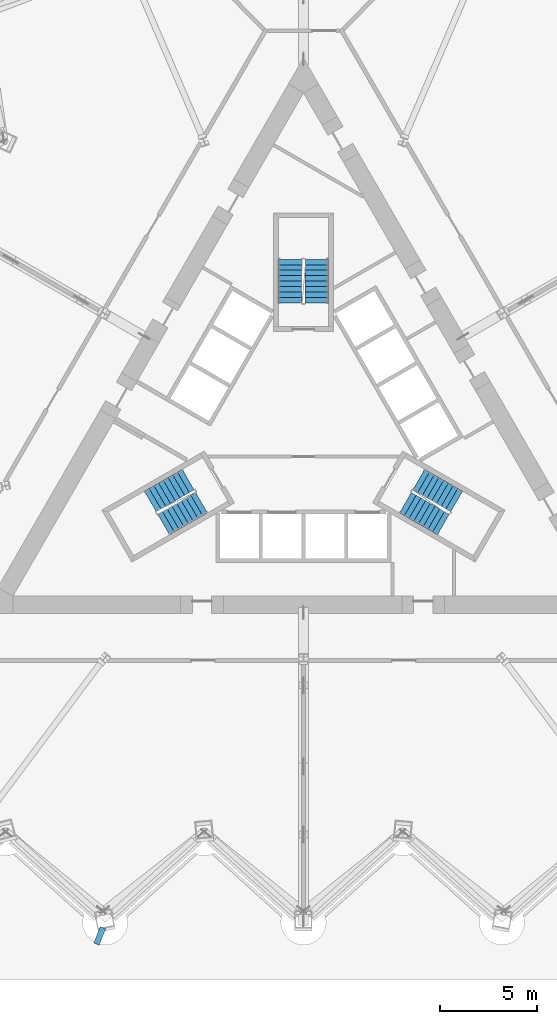
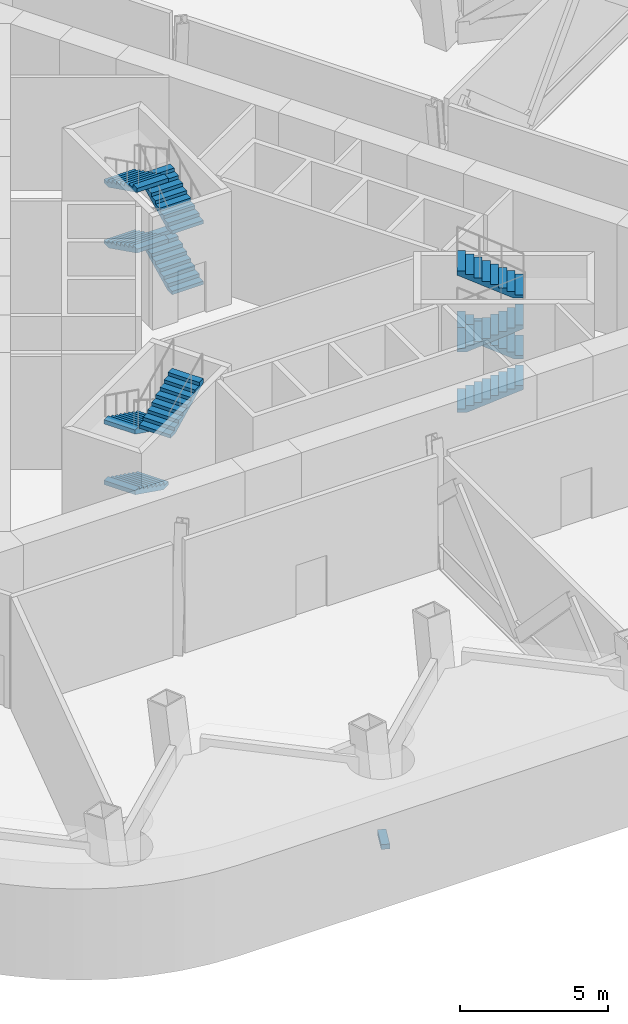
# One storey, part 7 of 13: 11 stair flights, 1 discrete accessory, 3 elements without a shape of their own.
"""IFC4 building model written with IfcOpenShell, lengths in metres."""

from ifc_helpers import new_model, si_unit, direction, frame, origin, origin_2d, place, context, subcontext, project, spatial, polyline, rectangle, outline, extrude, material, type_object, element, aggregate, save


model = new_model("IFC4")

# Units and contexts
model_context = context("Model", 3, precision=1e-05, world=origin(), true_north=direction((0.0, 1.0)))
body_context = subcontext(model_context, "Body", "Model", "MODEL_VIEW")
ifc_project = project(units=[si_unit("LENGTHUNIT", "METRE"), si_unit("AREAUNIT", "SQUARE_METRE"), si_unit("VOLUMEUNIT", "CUBIC_METRE"), si_unit("PLANEANGLEUNIT", "RADIAN"), si_unit("MASSUNIT", "GRAM", prefix="KILO")], contexts=[model_context])

# Site, building, storey
site_placement = place(None, origin())
site = spatial("IfcSite", under=ifc_project, at=site_placement, CompositionType="ELEMENT")
building_placement = place(site_placement, origin())
building = spatial("IfcBuilding", under=site, at=building_placement, Name="Cormorant Prow Tower", CompositionType="ELEMENT")
storey_placement = place(building_placement, frame((0.0, 0.0, 164.199951171875)))
storey = spatial("IfcBuildingStorey", under=building, at=storey_placement, Name="L34", CompositionType="ELEMENT", Elevation=164.199951171875)

# Stair, stair flights
ifc_material_1 = material(Name="Exit stair 36 risers")
stair_type = type_object("IfcStairType", Name="Exit stair 36 risers", PredefinedType="HALF_TURN_STAIR", material=ifc_material_1)
stair_1_placement = place(storey_placement, origin())
stair_1 = element("IfcStair", 1, at=stair_1_placement, inside=storey, type_object=stair_type, Name="L34 Exit stair ST1", PredefinedType="HALF_TURN_STAIR")
ifc_material_2 = material(Name="Concrete 5000 psi", Category="concrete")
stair_flight_type = type_object("IfcStairFlightType", Name="Stair flight 1219", PredefinedType="STRAIGHT", material=ifc_material_2)
stair_flight_1_placement = place(storey_placement, frame((-5.93310546875, -2.635009765625, 0.0), z_axis=(0.0, 0.0, 1.0), x_axis=(-0.866025403784, -0.5, 0.0)))
stair_flight_1 = element("IfcStairFlight", 2, at=stair_flight_1_placement, type_object=stair_flight_type, Name="ST1 flight 1", NumberOfRisers=9, NumberOfTreads=8, PredefinedType="STRAIGHT", RiserHeight=0.138888889, TreadLength=0.28, context=body_context, shape_type="SweptSolid", body=[
    extrude(outline(polyline([(0.0, 0.0), (0.0, 0.138916015625), (0.280029296875, 0.138916015625), (0.280029296875, 0.27783203125), (0.56005859375, 0.27783203125), (0.56005859375, 0.416748046875), (0.840087890625, 0.416748046875), (0.840087890625, 0.5556640625), (1.1201171875, 0.5556640625), (1.1201171875, 0.6943359375), (1.39990234375, 0.6943359375), (1.39990234375, 0.833251953125), (1.679931640625, 0.833251953125), (1.679931640625, 0.97216796875), (1.9599609375, 0.97216796875), (1.9599609375, 1.111083984375), (2.239990234375, 1.111083984375), (2.239990234375, 1.25), (2.239990234375, 0.94384765625), (0.33740234375, 0.0), (0.0, 0.0)])), frame((0.0, 0.609375, 0.0), z_axis=(0.0, -1.0, 0.0), x_axis=(1.0, 0.0, 0.0)), (0.0, 0.0, 1.0), 1.218994140625),
])
stair_flight_2_placement = place(storey_placement, frame((-5.93310546875, -2.635009765625, 2.5), z_axis=(0.0, 0.0, 1.0), x_axis=(-0.866025403784, -0.5, 0.0)))
stair_flight_2 = element("IfcStairFlight", 3, at=stair_flight_2_placement, type_object=stair_flight_type, Name="ST1 flight 3", NumberOfRisers=9, NumberOfTreads=8, PredefinedType="STRAIGHT", RiserHeight=0.138888889, TreadLength=0.28, context=body_context, shape_type="SweptSolid", body=[
    extrude(outline(polyline([(0.0, 0.0), (0.0, 0.138916015625), (0.280029296875, 0.138916015625), (0.280029296875, 0.27783203125), (0.56005859375, 0.27783203125), (0.56005859375, 0.416748046875), (0.840087890625, 0.416748046875), (0.840087890625, 0.5556640625), (1.1201171875, 0.5556640625), (1.1201171875, 0.6943359375), (1.39990234375, 0.6943359375), (1.39990234375, 0.833251953125), (1.679931640625, 0.833251953125), (1.679931640625, 0.97216796875), (1.9599609375, 0.97216796875), (1.9599609375, 1.111083984375), (2.239990234375, 1.111083984375), (2.239990234375, 1.25), (2.239990234375, 0.94384765625), (0.33740234375, 0.0), (0.0, 0.0)])), frame((0.0, 0.609375, 0.0), z_axis=(0.0, -1.0, 0.0), x_axis=(1.0, 0.0, 0.0)), (0.0, 0.0, 1.0), 1.218994140625),
])
stair_flight_3_placement = place(storey_placement, frame((-7.1884765625, -4.940673828125, 3.75), z_axis=(0.0, 0.0, 1.0), x_axis=(0.866025403784, 0.5, 0.0)))
stair_flight_3 = element("IfcStairFlight", 4, at=stair_flight_3_placement, type_object=stair_flight_type, Name="ST1 flight 4", NumberOfRisers=9, NumberOfTreads=8, PredefinedType="STRAIGHT", RiserHeight=0.138888889, TreadLength=0.28, context=body_context, shape_type="SweptSolid", body=[
    extrude(outline(polyline([(0.0, 0.0), (0.0, 0.138916015625), (0.280029296875, 0.138916015625), (0.280029296875, 0.27783203125), (0.56005859375, 0.27783203125), (0.56005859375, 0.416748046875), (0.840087890625, 0.416748046875), (0.840087890625, 0.5556640625), (1.1201171875, 0.5556640625), (1.1201171875, 0.6943359375), (1.39990234375, 0.6943359375), (1.39990234375, 0.833251953125), (1.679931640625, 0.833251953125), (1.679931640625, 0.97216796875), (1.9599609375, 0.97216796875), (1.9599609375, 1.111083984375), (2.239990234375, 1.111083984375), (2.239990234375, 1.25), (2.239990234375, 0.94384765625), (0.33740234375, 0.0), (0.0, 0.0)])), frame((0.0, 0.609375, 0.0), z_axis=(0.0, -1.0, 0.0), x_axis=(1.0, 0.0, 0.0)), (0.0, 0.0, 1.0), 1.218994140625),
])
aggregate(stair_1, [stair_flight_1, stair_flight_2, stair_flight_3])

stair_2_placement = place(storey_placement, origin())
stair_2 = element("IfcStair", 5, at=stair_2_placement, inside=storey, type_object=stair_type, Name="L34 Exit stair ST2", PredefinedType="HALF_TURN_STAIR")
stair_flight_4_placement = place(storey_placement, frame((5.24853515625, -3.82080078125, 0.0), z_axis=(0.0, 0.0, 1.0), x_axis=(0.866025403784, -0.5, 0.0)))
stair_flight_4 = element("IfcStairFlight", 6, at=stair_flight_4_placement, type_object=stair_flight_type, Name="ST2 flight 1", NumberOfRisers=9, NumberOfTreads=8, PredefinedType="STRAIGHT", RiserHeight=0.138888889, TreadLength=0.28, context=body_context, shape_type="SweptSolid", body=[
    extrude(outline(polyline([(0.0, 0.0), (0.0, 0.138916015625), (0.280029296875, 0.138916015625), (0.280029296875, 0.27783203125), (0.56005859375, 0.27783203125), (0.56005859375, 0.416748046875), (0.840087890625, 0.416748046875), (0.840087890625, 0.5556640625), (1.1201171875, 0.5556640625), (1.1201171875, 0.6943359375), (1.39990234375, 0.6943359375), (1.39990234375, 0.833251953125), (1.679931640625, 0.833251953125), (1.679931640625, 0.97216796875), (1.9599609375, 0.97216796875), (1.9599609375, 1.111083984375), (2.239990234375, 1.111083984375), (2.239990234375, 1.25), (2.239990234375, 0.94384765625), (0.33740234375, 0.0), (0.0, 0.0)])), frame((0.0, 0.609375, 0.0), z_axis=(0.0, -1.0, 0.0), x_axis=(1.0, 0.0, 0.0)), (0.0, 0.0, 1.0), 1.218994140625),
])
stair_flight_5_placement = place(storey_placement, frame((7.873046875, -3.755126953125, 1.25), z_axis=(0.0, 0.0, 1.0), x_axis=(-0.866025403784, 0.5, 0.0)))
stair_flight_5 = element("IfcStairFlight", 7, at=stair_flight_5_placement, type_object=stair_flight_type, Name="ST2 flight 2", NumberOfRisers=9, NumberOfTreads=8, PredefinedType="STRAIGHT", RiserHeight=0.138888889, TreadLength=0.28, context=body_context, shape_type="SweptSolid", body=[
    extrude(outline(polyline([(0.0, 0.0), (0.0, 0.138916015625), (0.280029296875, 0.138916015625), (0.280029296875, 0.27783203125), (0.56005859375, 0.27783203125), (0.56005859375, 0.416748046875), (0.840087890625, 0.416748046875), (0.840087890625, 0.5556640625), (1.1201171875, 0.5556640625), (1.1201171875, 0.6943359375), (1.39990234375, 0.6943359375), (1.39990234375, 0.833251953125), (1.679931640625, 0.833251953125), (1.679931640625, 0.97216796875), (1.9599609375, 0.97216796875), (1.9599609375, 1.111083984375), (2.239990234375, 1.111083984375), (2.239990234375, 1.25), (2.239990234375, 0.94384765625), (0.33740234375, 0.0), (0.0, 0.0)])), frame((0.0, 0.609375, 0.0), z_axis=(0.0, -1.0, 0.0), x_axis=(1.0, 0.0, 0.0)), (0.0, 0.0, 1.0), 1.218994140625),
])
stair_flight_6_placement = place(storey_placement, frame((5.24853515625, -3.82080078125, 2.5), z_axis=(0.0, 0.0, 1.0), x_axis=(0.866025403784, -0.5, 0.0)))
stair_flight_6 = element("IfcStairFlight", 8, at=stair_flight_6_placement, type_object=stair_flight_type, Name="ST2 flight 3", NumberOfRisers=9, NumberOfTreads=8, PredefinedType="STRAIGHT", RiserHeight=0.138888889, TreadLength=0.28, context=body_context, shape_type="SweptSolid", body=[
    extrude(outline(polyline([(0.0, 0.0), (0.0, 0.138916015625), (0.280029296875, 0.138916015625), (0.280029296875, 0.27783203125), (0.56005859375, 0.27783203125), (0.56005859375, 0.416748046875), (0.840087890625, 0.416748046875), (0.840087890625, 0.5556640625), (1.1201171875, 0.5556640625), (1.1201171875, 0.6943359375), (1.39990234375, 0.6943359375), (1.39990234375, 0.833251953125), (1.679931640625, 0.833251953125), (1.679931640625, 0.97216796875), (1.9599609375, 0.97216796875), (1.9599609375, 1.111083984375), (2.239990234375, 1.111083984375), (2.239990234375, 1.25), (2.239990234375, 0.94384765625), (0.33740234375, 0.0), (0.0, 0.0)])), frame((0.0, 0.609375, 0.0), z_axis=(0.0, -1.0, 0.0), x_axis=(1.0, 0.0, 0.0)), (0.0, 0.0, 1.0), 1.218994140625),
])
stair_flight_7_placement = place(storey_placement, frame((7.873046875, -3.755126953125, 3.75), z_axis=(0.0, 0.0, 1.0), x_axis=(-0.866025403784, 0.5, 0.0)))
stair_flight_7 = element("IfcStairFlight", 9, at=stair_flight_7_placement, type_object=stair_flight_type, Name="ST2 flight 4", NumberOfRisers=9, NumberOfTreads=8, PredefinedType="STRAIGHT", RiserHeight=0.138888889, TreadLength=0.28, context=body_context, shape_type="SweptSolid", body=[
    extrude(outline(polyline([(0.0, 0.0), (0.0, 0.138916015625), (0.280029296875, 0.138916015625), (0.280029296875, 0.27783203125), (0.56005859375, 0.27783203125), (0.56005859375, 0.416748046875), (0.840087890625, 0.416748046875), (0.840087890625, 0.5556640625), (1.1201171875, 0.5556640625), (1.1201171875, 0.6943359375), (1.39990234375, 0.6943359375), (1.39990234375, 0.833251953125), (1.679931640625, 0.833251953125), (1.679931640625, 0.97216796875), (1.9599609375, 0.97216796875), (1.9599609375, 1.111083984375), (2.239990234375, 1.111083984375), (2.239990234375, 1.25), (2.239990234375, 0.94384765625), (0.33740234375, 0.0), (0.0, 0.0)])), frame((0.0, 0.609375, 0.0), z_axis=(0.0, -1.0, 0.0), x_axis=(1.0, 0.0, 0.0)), (0.0, 0.0, 1.0), 1.218994140625),
])
aggregate(stair_2, [stair_flight_4, stair_flight_5, stair_flight_6, stair_flight_7])

stair_3_placement = place(storey_placement, origin())
stair_3 = element("IfcStair", 10, at=stair_3_placement, inside=storey, type_object=stair_type, Name="L34 Exit stair ST3", PredefinedType="HALF_TURN_STAIR")
stair_flight_8_placement = place(storey_placement, frame((0.6845703125, 6.455810546875, 0.0), z_axis=(0.0, 0.0, 1.0), x_axis=(0.0, 1.0, 0.0)))
stair_flight_8 = element("IfcStairFlight", 11, at=stair_flight_8_placement, type_object=stair_flight_type, Name="ST3 flight 1", NumberOfRisers=9, NumberOfTreads=8, PredefinedType="STRAIGHT", RiserHeight=0.138888889, TreadLength=0.28, context=body_context, shape_type="SweptSolid", body=[
    extrude(outline(polyline([(0.0, 0.0), (0.0, 0.138916015625), (0.280029296875, 0.138916015625), (0.280029296875, 0.27783203125), (0.56005859375, 0.27783203125), (0.56005859375, 0.416748046875), (0.840087890625, 0.416748046875), (0.840087890625, 0.5556640625), (1.1201171875, 0.5556640625), (1.1201171875, 0.6943359375), (1.39990234375, 0.6943359375), (1.39990234375, 0.833251953125), (1.679931640625, 0.833251953125), (1.679931640625, 0.97216796875), (1.9599609375, 0.97216796875), (1.9599609375, 1.111083984375), (2.239990234375, 1.111083984375), (2.239990234375, 1.25), (2.239990234375, 0.94384765625), (0.33740234375, 0.0), (0.0, 0.0)])), frame((0.0, 0.609375, 0.0), z_axis=(0.0, -1.0, 0.0), x_axis=(1.0, 0.0, 0.0)), (0.0, 0.0, 1.0), 1.218994140625),
])
stair_flight_9_placement = place(storey_placement, frame((-0.6845703125, 8.69580078125, 1.25), z_axis=(0.0, 0.0, 1.0), x_axis=(0.0, -1.0, 0.0)))
stair_flight_9 = element("IfcStairFlight", 12, at=stair_flight_9_placement, type_object=stair_flight_type, Name="ST3 flight 2", NumberOfRisers=9, NumberOfTreads=8, PredefinedType="STRAIGHT", RiserHeight=0.138888889, TreadLength=0.28, context=body_context, shape_type="SweptSolid", body=[
    extrude(outline(polyline([(0.0, 0.0), (0.0, 0.138916015625), (0.280029296875, 0.138916015625), (0.280029296875, 0.27783203125), (0.56005859375, 0.27783203125), (0.56005859375, 0.416748046875), (0.840087890625, 0.416748046875), (0.840087890625, 0.5556640625), (1.1201171875, 0.5556640625), (1.1201171875, 0.6943359375), (1.39990234375, 0.6943359375), (1.39990234375, 0.833251953125), (1.679931640625, 0.833251953125), (1.679931640625, 0.97216796875), (1.9599609375, 0.97216796875), (1.9599609375, 1.111083984375), (2.239990234375, 1.111083984375), (2.239990234375, 1.25), (2.239990234375, 0.94384765625), (0.33740234375, 0.0), (0.0, 0.0)])), frame((0.0, 0.609375, 0.0), z_axis=(0.0, -1.0, 0.0), x_axis=(1.0, 0.0, 0.0)), (0.0, 0.0, 1.0), 1.218994140625),
])
stair_flight_10_placement = place(storey_placement, frame((0.6845703125, 6.455810546875, 2.5), z_axis=(0.0, 0.0, 1.0), x_axis=(0.0, 1.0, 0.0)))
stair_flight_10 = element("IfcStairFlight", 13, at=stair_flight_10_placement, type_object=stair_flight_type, Name="ST3 flight 3", NumberOfRisers=9, NumberOfTreads=8, PredefinedType="STRAIGHT", RiserHeight=0.138888889, TreadLength=0.28, context=body_context, shape_type="SweptSolid", body=[
    extrude(outline(polyline([(0.0, 0.0), (0.0, 0.138916015625), (0.280029296875, 0.138916015625), (0.280029296875, 0.27783203125), (0.56005859375, 0.27783203125), (0.56005859375, 0.416748046875), (0.840087890625, 0.416748046875), (0.840087890625, 0.5556640625), (1.1201171875, 0.5556640625), (1.1201171875, 0.6943359375), (1.39990234375, 0.6943359375), (1.39990234375, 0.833251953125), (1.679931640625, 0.833251953125), (1.679931640625, 0.97216796875), (1.9599609375, 0.97216796875), (1.9599609375, 1.111083984375), (2.239990234375, 1.111083984375), (2.239990234375, 1.25), (2.239990234375, 0.94384765625), (0.33740234375, 0.0), (0.0, 0.0)])), frame((0.0, 0.609375, 0.0), z_axis=(0.0, -1.0, 0.0), x_axis=(1.0, 0.0, 0.0)), (0.0, 0.0, 1.0), 1.218994140625),
])
stair_flight_11_placement = place(storey_placement, frame((-0.6845703125, 8.69580078125, 3.75), z_axis=(0.0, 0.0, 1.0), x_axis=(0.0, -1.0, 0.0)))
stair_flight_11 = element("IfcStairFlight", 14, at=stair_flight_11_placement, type_object=stair_flight_type, Name="ST3 flight 4", NumberOfRisers=9, NumberOfTreads=8, PredefinedType="STRAIGHT", RiserHeight=0.138888889, TreadLength=0.28, context=body_context, shape_type="SweptSolid", body=[
    extrude(outline(polyline([(0.0, 0.0), (0.0, 0.138916015625), (0.280029296875, 0.138916015625), (0.280029296875, 0.27783203125), (0.56005859375, 0.27783203125), (0.56005859375, 0.416748046875), (0.840087890625, 0.416748046875), (0.840087890625, 0.5556640625), (1.1201171875, 0.5556640625), (1.1201171875, 0.6943359375), (1.39990234375, 0.6943359375), (1.39990234375, 0.833251953125), (1.679931640625, 0.833251953125), (1.679931640625, 0.97216796875), (1.9599609375, 0.97216796875), (1.9599609375, 1.111083984375), (2.239990234375, 1.111083984375), (2.239990234375, 1.25), (2.239990234375, 0.94384765625), (0.33740234375, 0.0), (0.0, 0.0)])), frame((0.0, 0.609375, 0.0), z_axis=(0.0, -1.0, 0.0), x_axis=(1.0, 0.0, 0.0)), (0.0, 0.0, 1.0), 1.218994140625),
])
aggregate(stair_3, [stair_flight_8, stair_flight_9, stair_flight_10, stair_flight_11])

# Discrete accessory
ifc_material_3 = material(Name="Aluminium 6063-T6", Category="aluminium")
discrete_accessory_type = type_object("IfcDiscreteAccessoryType", Name="Fascia bracket 900x300x200", PredefinedType="BRACKET", material=ifc_material_3)
discrete_accessory_placement = place(storey_placement, frame((-10.479248046875, -26.09521484375, 0.89990234375), z_axis=(0.0, 0.0, 1.0), x_axis=(-0.37265714081, -0.927969102612, 0.0)))
element("IfcDiscreteAccessory", 15, at=discrete_accessory_placement, inside=storey, type_object=discrete_accessory_type, Name="Fascia bracket L34", PredefinedType="BRACKET", context=body_context, shape_type="SweptSolid", body=[
    extrude(rectangle(XDim=0.89990234375, YDim=0.300048828125, at=origin_2d()), origin(), (0.0, 0.0, 1.0), 0.199951171875),
])

save(model, "model.ifc")
